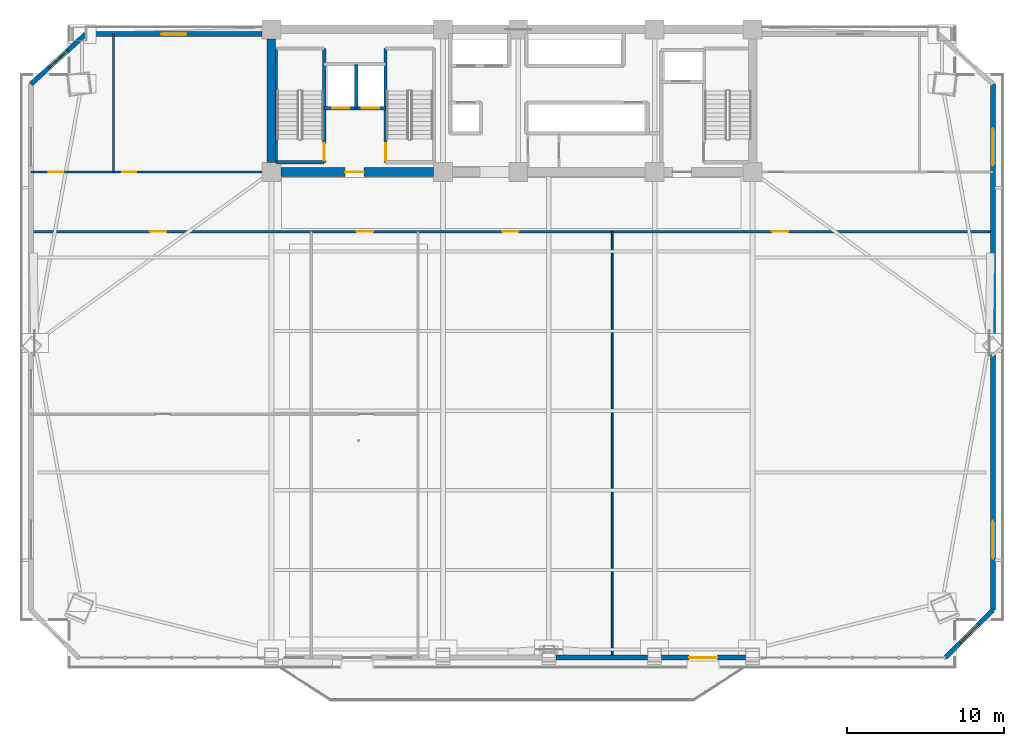
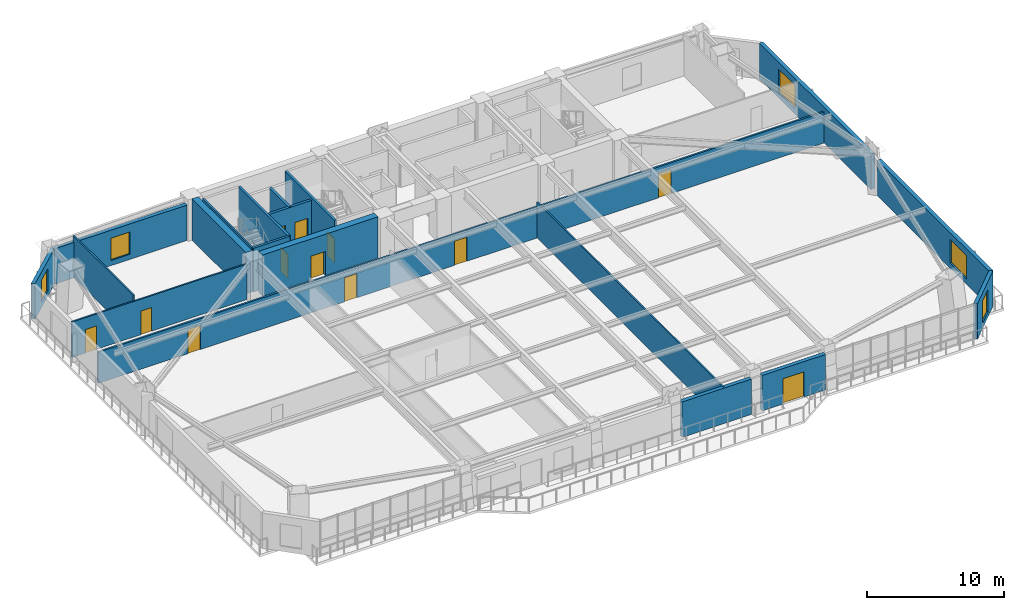
# One storey, part 8 of 15: 19 walls, 12 doors, 5 windows, 17 openings.
"""IFC4 building model written with IfcOpenShell, lengths in metres."""

import ifcopenshell
import ifcopenshell.guid

model = None  # the IFC model being written
_history = None  # IfcOwnerHistory: only IFC2X3 demands one
_inside = {}  # id of a spatial element -> (the spatial element, [elements in it])
_under = {}  # id of a project, library or spatial element -> (it, [spatial elements below it])
_declared = {}  # id of a project -> (the project, [libraries it declares])
_typed = {}  # id of a type object -> (the type object, [elements of that type])
_made_of = {}  # id of a material, layer set ... -> (it, [elements and type objects made of it])


def new_model(schema):
    """Start an empty IFC model of exactly this schema.

    Asked for "IFC4X3", IfcOpenShell would pick the latest addendum, in which some entities
    have other attributes; the version numbers below select the first issue.
    IFC2X3 requires an IfcOwnerHistory on every rooted entity: one is made here for all.
    """
    global model, _history
    if schema == "IFC4X3":
        model = ifcopenshell.file(schema_version=(4, 3, 0, 0))
    else:
        model = ifcopenshell.file(schema=schema)
    _inside.clear()
    _under.clear()
    _declared.clear()
    _typed.clear()
    _made_of.clear()
    _history = None
    if model.schema == "IFC2X3":
        org = make("IfcOrganization", Name="unknown")
        user = make(
            "IfcPersonAndOrganization",
            ThePerson=make("IfcPerson", FamilyName="unknown"),
            TheOrganization=org,
        )
        app = make(
            "IfcApplication",
            ApplicationDeveloper=org,
            Version="unknown",
            ApplicationFullName="unknown",
            ApplicationIdentifier="unknown",
        )
        _history = make(
            "IfcOwnerHistory",
            OwningUser=user,
            OwningApplication=app,
            ChangeAction="ADDED",
            CreationDate=0,
        )
    return model


def make(cls, **values):
    """One entity of the class cls with the attributes given. An attribute that is None is left unset."""
    return model.create_entity(
        cls, **{name: value for name, value in values.items() if value is not None}
    )


def rooted(cls, **values):
    """An entity with a GlobalId (a new one), such as an element, a storey or a relation."""
    return make(cls, GlobalId=ifcopenshell.guid.new(), OwnerHistory=_history, **values)


def si_unit(unit_type, name, prefix=None):
    """IfcSIUnit, for example si_unit("LENGTHUNIT", "METRE", prefix="MILLI")."""
    return make("IfcSIUnit", UnitType=unit_type, Prefix=prefix, Name=name)


def assignment(units):
    """IfcUnitAssignment: the units of a project."""
    return None if units is None else make("IfcUnitAssignment", Units=units)


def point(xyz):
    """IfcCartesianPoint."""
    return None if xyz is None else make("IfcCartesianPoint", Coordinates=xyz)


def direction(xyz):
    """IfcDirection."""
    return None if xyz is None else make("IfcDirection", DirectionRatios=xyz)


def frame(location, z_axis=None, x_axis=None):
    """IfcAxis2Placement3D, a coordinate frame: its origin and axes. An axis left out is left unset."""
    return make(
        "IfcAxis2Placement3D",
        Location=point(location),
        Axis=direction(z_axis),
        RefDirection=direction(x_axis),
    )


def frame_2d(location, x_axis=None):
    """IfcAxis2Placement2D, a coordinate frame in the plane: its origin and x axis."""
    return make(
        "IfcAxis2Placement2D", Location=point(location), RefDirection=direction(x_axis)
    )


def origin():
    """The frame at (0, 0, 0) with its axes left unset."""
    return frame((0.0, 0.0, 0.0))


def place(relative_to, where):
    """IfcLocalPlacement: puts the frame where relative to a parent placement (None: the world)."""
    return make(
        "IfcLocalPlacement", PlacementRelTo=relative_to, RelativePlacement=where
    )


def context(
    kind, dimensions, precision=None, world=None, true_north=None, identifier=None
):
    """IfcGeometricRepresentationContext, for example the 3D "Model" context."""
    return make(
        "IfcGeometricRepresentationContext",
        ContextIdentifier=identifier,
        ContextType=kind,
        CoordinateSpaceDimension=dimensions,
        Precision=precision,
        WorldCoordinateSystem=world,
        TrueNorth=true_north,
    )


def subcontext(parent, identifier, kind, view, scale=None):
    """IfcGeometricRepresentationSubContext, for example "Body" below "Model"."""
    return make(
        "IfcGeometricRepresentationSubContext",
        ContextIdentifier=identifier,
        ContextType=kind,
        ParentContext=parent,
        TargetScale=scale,
        TargetView=view,
    )


def project(units=None, contexts=None):
    """IfcProject with its units and contexts."""
    return rooted(
        "IfcProject",
        Name="project",
        RepresentationContexts=contexts,
        UnitsInContext=assignment(units),
    )


def spatial(cls, under=None, at=None, **own):
    """A site, building, storey or space (cls), placed at a placement, below another one or the project."""
    s = rooted(cls, ObjectPlacement=at, **own)
    if under is not None:
        _under.setdefault(under.id(), (under, []))[1].append(s)
    return s


def profile(cls, at=None, kind="AREA", **sizes):
    """A parametric profile (cls). Its sizes go by their IFC names, for example OverallWidth=200.0."""
    return make(cls, ProfileType=kind, Position=at, **sizes)


def rectangle(**sizes):
    """IfcRectangleProfileDef."""
    return profile("IfcRectangleProfileDef", **sizes)


def extrude(swept, where, along, depth):
    """IfcExtrudedAreaSolid: the profile swept, set in the frame where, extruded along a direction by depth."""
    return make(
        "IfcExtrudedAreaSolid",
        SweptArea=swept,
        Position=where,
        ExtrudedDirection=direction(along),
        Depth=depth,
    )


def shape(context_of_items, identifier, shape_type, items):
    """IfcShapeRepresentation: the items that make up one representation, for example the "Body"."""
    return make(
        "IfcShapeRepresentation",
        ContextOfItems=context_of_items,
        RepresentationIdentifier=identifier,
        RepresentationType=shape_type,
        Items=items,
    )


def source(mapping_origin, context_of_items, identifier, shape_type, items):
    """IfcRepresentationMap: a shape defined once, which mapped items show again and again."""
    return make(
        "IfcRepresentationMap",
        MappingOrigin=mapping_origin,
        MappedRepresentation=shape(context_of_items, identifier, shape_type, items),
    )


def transform(
    local_origin,
    x_axis=None,
    y_axis=None,
    z_axis=None,
    scale=None,
    scale2=None,
    scale3=None,
    uniform=True,
):
    """IfcCartesianTransformationOperator3D, or its non-uniform kind. x_axis, y_axis, z_axis: its Axis1, 2, 3."""
    if uniform:
        return make(
            "IfcCartesianTransformationOperator3D",
            Axis1=direction(x_axis),
            Axis2=direction(y_axis),
            LocalOrigin=point(local_origin),
            Scale=scale,
            Axis3=direction(z_axis),
        )
    return make(
        "IfcCartesianTransformationOperator3DnonUniform",
        Axis1=direction(x_axis),
        Axis2=direction(y_axis),
        LocalOrigin=point(local_origin),
        Scale=scale,
        Axis3=direction(z_axis),
        Scale2=scale2,
        Scale3=scale3,
    )


def mapped(mapping_source, mapping_target):
    """IfcMappedItem: shows the shape of a source again, moved by a transform."""
    return make(
        "IfcMappedItem", MappingSource=mapping_source, MappingTarget=mapping_target
    )


def material(Name=None, Category=None):
    """IfcMaterial."""
    return make("IfcMaterial", Name=Name, Category=Category)


def layer(
    of_material, thickness, ventilated=None, Name=None, Category=None, Priority=None
):
    """IfcMaterialLayer: one layer of a wall or slab, of a material (None: an air gap)."""
    return make(
        "IfcMaterialLayer",
        Material=of_material,
        LayerThickness=thickness,
        IsVentilated=ventilated,
        Name=Name,
        Category=Category,
        Priority=Priority,
    )


def layer_set(layers, Name=None):
    """IfcMaterialLayerSet."""
    return make("IfcMaterialLayerSet", MaterialLayers=layers, LayerSetName=Name)


def made_of(thing, what):
    """Note that an element or type object is made of a material, layer set ...; save() writes the relation."""
    if what is not None:
        _made_of.setdefault(what.id(), (what, []))[1].append(thing)
    return thing


def type_object(cls, material=None, **own):
    """A type object (cls), such as IfcWallType, which elements share."""
    return made_of(rooted(cls, **own), material)


def element(
    cls,
    number,
    at=None,
    inside=None,
    cuts=None,
    type_object=None,
    material=None,
    context=None,
    identifier="Body",
    shape_type=None,
    held_by="IfcProductDefinitionShape",
    body=None,
    shapes=None,
    **own,
):
    """One element of the class cls, such as IfcWall. Its Tag is "e" and its number.

    at: its placement. inside: the storey or other place that contains it. cuts: it is an
    opening in that element (IfcRelVoidsElement). A single representation is given by context,
    identifier, shape_type and body (its items); several are given by shapes. held_by: the class
    of the entity that holds the representations. save() writes the other relations.
    """
    e = rooted(cls, Tag="e%d" % number, ObjectPlacement=at, **own)
    if body is not None:
        shapes = [shape(context, identifier, shape_type, body)]
    if shapes is not None:
        e.Representation = make(held_by, Representations=shapes)
    if inside is not None:
        _inside.setdefault(inside.id(), (inside, []))[1].append(e)
    if cuts is not None:
        rooted(
            "IfcRelVoidsElement", RelatingBuildingElement=cuts, RelatedOpeningElement=e
        )
    if type_object is not None:
        _typed.setdefault(type_object.id(), (type_object, []))[1].append(e)
    return made_of(e, material)


def fill(opening, filler):
    """IfcRelFillsElement: the door or window that sits in an opening."""
    return rooted(
        "IfcRelFillsElement",
        RelatingOpeningElement=opening,
        RelatedBuildingElement=filler,
    )


def aggregate(whole, parts):
    """IfcRelAggregates: a whole, such as a stair, and the parts it consists of."""
    return rooted("IfcRelAggregates", RelatingObject=whole, RelatedObjects=parts)


def save(model, path):
    """Write the relations noted so far, then the file.

    IfcRelAggregates (storeys below a building ...), IfcRelContainedInSpatialStructure (elements
    in a storey), IfcRelDefinesByType, IfcRelAssociatesMaterial and IfcRelDeclares: one each for
    every whole, place, type object, material and project.
    """
    for whole, parts in _under.values():
        aggregate(whole, parts)
    for where, things in _inside.values():
        rooted(
            "IfcRelContainedInSpatialStructure",
            RelatedElements=things,
            RelatingStructure=where,
        )
    for kind, things in _typed.values():
        rooted("IfcRelDefinesByType", RelatedObjects=things, RelatingType=kind)
    for what, things in _made_of.values():
        rooted("IfcRelAssociatesMaterial", RelatedObjects=things, RelatingMaterial=what)
    for by, libraries in _declared.values():
        rooted("IfcRelDeclares", RelatingContext=by, RelatedDefinitions=libraries)
    model.write(path)


model = new_model("IFC4")

# Units and contexts
model_context = context("Model", 3, precision=1e-05, world=origin(), true_north=direction((0.0, 1.0)))
body_context = subcontext(model_context, "Body", "Model", "MODEL_VIEW")
ifc_project = project(units=[si_unit("LENGTHUNIT", "METRE"), si_unit("AREAUNIT", "SQUARE_METRE"), si_unit("VOLUMEUNIT", "CUBIC_METRE"), si_unit("PLANEANGLEUNIT", "RADIAN"), si_unit("MASSUNIT", "GRAM", prefix="KILO")], contexts=[model_context])

# Site, building, storey
site_placement = place(None, origin())
site = spatial("IfcSite", under=ifc_project, at=site_placement, CompositionType="ELEMENT")
building_placement = place(site_placement, origin())
building = spatial("IfcBuilding", under=site, at=building_placement, Name="Giltprow Tower", CompositionType="ELEMENT")
storey_placement = place(building_placement, frame((0.0, 0.0, 107.5)))
storey = spatial("IfcBuildingStorey", under=building, at=storey_placement, Name="L26", CompositionType="ELEMENT", Elevation=107.5)

# Wall, opening, window
ifc_material_1 = material(Name="Precast concrete C40", Category="concrete")
ifc_layer_1 = layer(ifc_material_1, 0.300048828125, Name="Precast concrete C40")
ifc_layer_set_1 = layer_set([ifc_layer_1], Name="Precast concrete C40")
wall_type_1 = type_object("IfcWallType", Name="EW-NOTCH-CHAMFER-300", PredefinedType="SOLIDWALL", material=ifc_layer_set_1)
wall_1_placement = place(storey_placement, frame((62.847900390625, 6.4619140625, 0.0), z_axis=(0.0, 0.0, 1.0), x_axis=(0.707135145445, 0.70707841579, 0.0)))
wall_1 = element("IfcWall", 1, at=wall_1_placement, inside=storey, type_object=wall_type_1, Name="L26 Corner Notch Wall SE", PredefinedType="SOLIDWALL", context=body_context, shape_type="SweptSolid", body=[
    extrude(rectangle(XDim=4.303466796875, YDim=0.300048828125, at=frame_2d((2.15185546875, 0.0))), origin(), (0.0, 0.0, 1.0), 3.159912109375),
])
opening_1_placement = place(wall_1_placement, frame((1.35205078125, 0.0, 0.449951171875)))
opening_1 = element("IfcOpeningElement", 2, at=opening_1_placement, cuts=wall_1, Name="Opening WN17", PredefinedType="OPENING", context=body_context, shape_type="SweptSolid", body=[
    extrude(rectangle(XDim=1.60009765625, YDim=2.0, at=frame_2d((0.800048828125, 1.0))), frame((0.0, 0.159912109375, 0.0), z_axis=(0.0, -1.0, 0.0), x_axis=(1.0, 0.0, 0.0)), (0.0, 0.0, 1.0), 0.320068359375),
])
ifc_material_2 = material(Name="Insulated glass", Category="glass")
window_type_1 = type_object("IfcWindowType", Name="WN-COR-1600x2000", PartitioningType="SINGLE_PANEL", PredefinedType="WINDOW", material=ifc_material_2)
shared_shape_1 = source(origin(), body_context, "Body", "SweptSolid", [
    extrude(rectangle(XDim=1.60009765625, YDim=2.0, at=frame_2d((0.800048828125, 1.0))), frame((0.0, 0.030029296875, 0.0), z_axis=(0.0, -1.0, 0.0), x_axis=(1.0, 0.0, 0.0)), (0.0, 0.0, 1.0), 0.06005859375),
])
window_1_placement = place(opening_1_placement, origin())
window_1 = element("IfcWindow", 3, at=window_1_placement, inside=storey, type_object=window_type_1, Name="L26 Corner Notch Window SE", OverallHeight=2.0, OverallWidth=1.60009765625, PartitioningType="SINGLE_PANEL", PredefinedType="WINDOW", context=body_context, shape_type="MappedRepresentation", body=[
    mapped(shared_shape_1, transform((0.0, 0.0, 0.0), x_axis=(1.0, 0.0, 0.0), y_axis=(0.0, 1.0, 0.0), z_axis=(0.0, 0.0, 1.0), scale=1.0)),
])
fill(opening_1, window_1)

wall_2_placement = place(storey_placement, frame((8.0029296875, 46.25, 0.0), z_axis=(0.0, 0.0, 1.0), x_axis=(-0.737969361405, -0.674834217884, 0.0)))
wall_2 = element("IfcWall", 4, at=wall_2_placement, inside=storey, type_object=wall_type_1, Name="L26 Corner Notch Wall NW", PredefinedType="SOLIDWALL", context=body_context, shape_type="SweptSolid", body=[
    extrude(rectangle(XDim=4.733154296875, YDim=0.300048828125, at=frame_2d((2.36669921875, 0.0))), origin(), (0.0, 0.0, 1.0), 3.159912109375),
])
opening_2_placement = place(wall_2_placement, frame((1.56689453125, 0.0, 0.449951171875)))
opening_2 = element("IfcOpeningElement", 5, at=opening_2_placement, cuts=wall_2, Name="Opening WN17", PredefinedType="OPENING", context=body_context, shape_type="SweptSolid", body=[
    extrude(rectangle(XDim=1.60009765625, YDim=2.0, at=frame_2d((0.800048828125, 1.0))), frame((0.0, 0.159912109375, 0.0), z_axis=(0.0, -1.0, 0.0), x_axis=(1.0, 0.0, 0.0)), (0.0, 0.0, 1.0), 0.320068359375),
])
window_2_placement = place(opening_2_placement, origin())
window_2 = element("IfcWindow", 6, at=window_2_placement, inside=storey, type_object=window_type_1, Name="L26 Corner Notch Window NW", OverallHeight=2.0, OverallWidth=1.60009765625, PartitioningType="SINGLE_PANEL", PredefinedType="WINDOW", context=body_context, shape_type="MappedRepresentation", body=[
    mapped(shared_shape_1, transform((0.0, 0.0, 0.0), x_axis=(1.0, 0.0, 0.0), y_axis=(0.0, 1.0, 0.0), z_axis=(0.0, 0.0, 1.0), scale=1.0)),
])
fill(opening_2, window_2)

# Wall
ifc_layer_2 = layer(ifc_material_1, 0.320068359375, Name="Precast concrete C40")
ifc_layer_set_2 = layer_set([ifc_layer_2], Name="Precast concrete C40")
wall_type_2 = type_object("IfcWallType", Name="EW-TOW-STONE-320", PredefinedType="SOLIDWALL", material=ifc_layer_set_2)
wall_3_placement = place(storey_placement, frame((38.0, 6.4619140625, 0.0), z_axis=(0.0, 0.0, 1.0), x_axis=(1.0, 0.0, 0.0)))
element("IfcWall", 7, at=wall_3_placement, inside=storey, type_object=wall_type_2, Name="L26 South Expressed Frame Wall 4", PredefinedType="SOLIDWALL", context=body_context, shape_type="SweptSolid", body=[
    extrude(rectangle(XDim=5.85009765625, YDim=0.320068359375, at=frame_2d((2.925048828125, 0.0))), origin(), (0.0, 0.0, 1.0), 3.159912109375),
])

# Wall, opening, door
wall_4_placement = place(storey_placement, frame((44.75, 6.4619140625, 0.0), z_axis=(0.0, 0.0, 1.0), x_axis=(1.0, 0.0, 0.0)))
wall_4 = element("IfcWall", 8, at=wall_4_placement, inside=storey, type_object=wall_type_2, Name="L26 South Expressed Frame Wall 5", PredefinedType="SOLIDWALL", context=body_context, shape_type="SweptSolid", body=[
    extrude(rectangle(XDim=5.35009765625, YDim=0.320068359375, at=frame_2d((2.675048828125, 0.0))), origin(), (0.0, 0.0, 1.0), 3.159912109375),
])
opening_3_placement = place(wall_4_placement, frame((1.75, 0.0, 0.0)))
opening_3 = element("IfcOpeningElement", 9, at=opening_3_placement, cuts=wall_4, Name="Opening ED25", PredefinedType="OPENING", context=body_context, shape_type="SweptSolid", body=[
    extrude(rectangle(XDim=1.800048828125, YDim=2.25, at=frame_2d((0.89990234375, 1.125))), frame((0.0, 0.169921875, 0.0), z_axis=(0.0, -1.0, 0.0), x_axis=(1.0, 0.0, 0.0)), (0.0, 0.0, 1.0), 0.340087890625),
])
ifc_material_3 = material(Name="Anodized bronze and glass", Category="glass")
door_type_1 = type_object("IfcDoorType", Name="DR-BALC-SLIDE-1800", OperationType="SLIDING_TO_LEFT", PredefinedType="DOOR", material=ifc_material_3)
shared_shape_2 = source(origin(), body_context, "Body", "SweptSolid", [
    extrude(rectangle(XDim=1.800048828125, YDim=2.25, at=frame_2d((0.89990234375, 1.125))), frame((0.0, 0.02490234375, 0.0), z_axis=(0.0, -1.0, 0.0), x_axis=(1.0, 0.0, 0.0)), (0.0, 0.0, 1.0), 0.050048828125),
])
door_1_placement = place(opening_3_placement, origin())
door_1 = element("IfcDoor", 10, at=door_1_placement, inside=storey, type_object=door_type_1, Name="L26 Waterfront Balcony Sliding Door 2", OperationType="SLIDING_TO_LEFT", OverallHeight=2.25, OverallWidth=1.800048828125, PredefinedType="DOOR", context=body_context, shape_type="MappedRepresentation", body=[
    mapped(shared_shape_2, transform((0.0, 0.0, 0.0), x_axis=(1.0, 0.0, 0.0), y_axis=(0.0, 1.0, 0.0), z_axis=(0.0, 0.0, 1.0), scale=1.0)),
])
fill(opening_3, door_1)

# Wall, opening, window
wall_5_placement = place(storey_placement, frame((65.89111328125, 9.5048828125, 0.0), z_axis=(0.0, 0.0, 1.0), x_axis=(0.0, 1.0, 0.0)))
wall_5 = element("IfcWall", 11, at=wall_5_placement, inside=storey, type_object=wall_type_2, Name="L26 E Wing Masonry Wall 1", PredefinedType="SOLIDWALL", context=body_context, shape_type="SweptSolid", body=[
    extrude(rectangle(XDim=16.3251953125, YDim=0.320068359375, at=frame_2d((8.16259765625, 0.0))), origin(), (0.0, 0.0, 1.0), 3.159912109375),
])
opening_4_placement = place(wall_5_placement, frame((3.284912109375, 0.0, 0.449951171875)))
opening_4 = element("IfcOpeningElement", 12, at=opening_4_placement, cuts=wall_5, Name="Opening WN29", PredefinedType="OPENING", context=body_context, shape_type="SweptSolid", body=[
    extrude(rectangle(XDim=2.39990234375, YDim=2.10009765625, at=frame_2d((1.199951171875, 1.050048828125))), frame((0.0, 0.169921875, 0.0), z_axis=(0.0, -1.0, 0.0), x_axis=(1.0, 0.0, 0.0)), (0.0, 0.0, 1.0), 0.340087890625),
])
window_type_2 = type_object("IfcWindowType", Name="WN-OFF-2400x2100", PartitioningType="DOUBLE_PANEL_VERTICAL", PredefinedType="WINDOW", material=ifc_material_2)
shared_shape_3 = source(origin(), body_context, "Body", "SweptSolid", [
    extrude(rectangle(XDim=2.39990234375, YDim=2.10009765625, at=frame_2d((1.199951171875, 1.050048828125))), frame((0.0, 0.030029296875, 0.0), z_axis=(0.0, -1.0, 0.0), x_axis=(1.0, 0.0, 0.0)), (0.0, 0.0, 1.0), 0.06005859375),
])
window_3_placement = place(opening_4_placement, origin())
window_3 = element("IfcWindow", 13, at=window_3_placement, inside=storey, type_object=window_type_2, Name="L26 E Wing Window 1-1A", OverallHeight=2.10009765625, OverallWidth=2.39990234375, PartitioningType="SINGLE_PANEL", PredefinedType="WINDOW", context=body_context, shape_type="MappedRepresentation", body=[
    mapped(shared_shape_3, transform((0.0, 0.0, 0.0), x_axis=(1.0, 0.0, 0.0), y_axis=(0.0, 1.0, 0.0), z_axis=(0.0, 0.0, 1.0), scale=1.0)),
])
fill(opening_4, window_3)

wall_6_placement = place(storey_placement, frame((65.89111328125, 26.72998046875, 0.0), z_axis=(0.0, 0.0, 1.0), x_axis=(0.0, 1.0, 0.0)))
wall_6 = element("IfcWall", 14, at=wall_6_placement, inside=storey, type_object=wall_type_2, Name="L26 E Wing Masonry Wall 2", PredefinedType="SOLIDWALL", context=body_context, shape_type="SweptSolid", body=[
    extrude(rectangle(XDim=16.325927734375, YDim=0.320068359375, at=frame_2d((8.1630859375, 0.0))), origin(), (0.0, 0.0, 1.0), 3.159912109375),
])
opening_5_placement = place(wall_6_placement, frame((11.125, 0.0, 0.449951171875)))
opening_5 = element("IfcOpeningElement", 15, at=opening_5_placement, cuts=wall_6, Name="Opening WN29", PredefinedType="OPENING", context=body_context, shape_type="SweptSolid", body=[
    extrude(rectangle(XDim=2.39990234375, YDim=2.10009765625, at=frame_2d((1.199951171875, 1.050048828125))), frame((0.0, 0.169921875, 0.0), z_axis=(0.0, -1.0, 0.0), x_axis=(1.0, 0.0, 0.0)), (0.0, 0.0, 1.0), 0.340087890625),
])
window_4_placement = place(opening_5_placement, origin())
window_4 = element("IfcWindow", 16, at=window_4_placement, inside=storey, type_object=window_type_2, Name="L26 E Wing Window 2-1", OverallHeight=2.10009765625, OverallWidth=2.39990234375, PartitioningType="SINGLE_PANEL", PredefinedType="WINDOW", context=body_context, shape_type="MappedRepresentation", body=[
    mapped(shared_shape_3, transform((0.0, 0.0, 0.0), x_axis=(1.0, 0.0, 0.0), y_axis=(0.0, 1.0, 0.0), z_axis=(0.0, 0.0, 1.0), scale=1.0)),
])
fill(opening_5, window_4)

wall_7_placement = place(storey_placement, frame((8.0029296875, 46.25, 0.0), z_axis=(0.0, 0.0, 1.0), x_axis=(1.0, 0.0, 0.0)))
wall_7 = element("IfcWall", 17, at=wall_7_placement, inside=storey, type_object=wall_type_2, Name="L26 North-West Wing Wall", PredefinedType="SOLIDWALL", context=body_context, shape_type="SweptSolid", body=[
    extrude(rectangle(XDim=11.2470703125, YDim=0.320068359375, at=frame_2d((5.62353515625, 0.0))), origin(), (0.0, 0.0, 1.0), 3.159912109375),
])
opening_6_placement = place(wall_7_placement, frame((4.823974609375, 0.0, 0.449951171875)))
opening_6 = element("IfcOpeningElement", 18, at=opening_6_placement, cuts=wall_7, Name="Opening WN17", PredefinedType="OPENING", context=body_context, shape_type="SweptSolid", body=[
    extrude(rectangle(XDim=1.60009765625, YDim=2.0, at=frame_2d((0.800048828125, 1.0))), frame((0.0, 0.169921875, 0.0), z_axis=(0.0, -1.0, 0.0), x_axis=(1.0, 0.0, 0.0)), (0.0, 0.0, 1.0), 0.340087890625),
])
window_5_placement = place(opening_6_placement, origin())
window_5 = element("IfcWindow", 19, at=window_5_placement, inside=storey, type_object=window_type_1, Name="L26 North-West Window", OverallHeight=2.0, OverallWidth=1.60009765625, PartitioningType="SINGLE_PANEL", PredefinedType="WINDOW", context=body_context, shape_type="MappedRepresentation", body=[
    mapped(shared_shape_1, transform((0.0, 0.0, 0.0), x_axis=(1.0, 0.0, 0.0), y_axis=(0.0, 1.0, 0.0), z_axis=(0.0, 0.0, 1.0), scale=1.0)),
])
fill(opening_6, window_5)

# Wall, openings, doors
ifc_material_4 = material(Name="Gypsum stud partition", Category="gypsum")
ifc_layer_3 = layer(ifc_material_4, 0.14990234375, Name="Gypsum stud partition")
ifc_layer_set_3 = layer_set([ifc_layer_3], Name="Gypsum stud partition")
wall_type_3 = type_object("IfcWallType", Name="IW-CORR-150", PredefinedType="PARTITIONING", material=ifc_layer_set_3)
wall_8_placement = place(storey_placement, frame((4.510009765625, 33.64990234375, 0.0), z_axis=(0.0, 0.0, 1.0), x_axis=(1.0, 0.0, 0.0)))
wall_8 = element("IfcWall", 20, at=wall_8_placement, inside=storey, type_object=wall_type_3, Name="L26 Office Loop Corridor Wall", PredefinedType="PARTITIONING", context=body_context, shape_type="SweptSolid", body=[
    extrude(rectangle(XDim=61.381103515625, YDim=0.14990234375, at=frame_2d((30.6904296875, 0.0))), origin(), (0.0, 0.0, 1.0), 2.764892578125),
])
opening_7_placement = place(wall_8_placement, frame((7.58203125, 0.0, 0.0)))
opening_7 = element("IfcOpeningElement", 21, at=opening_7_placement, cuts=wall_8, Name="Opening ID31", PredefinedType="OPENING", context=body_context, shape_type="SweptSolid", body=[
    extrude(rectangle(XDim=1.050048828125, YDim=2.14990234375, at=frame_2d((0.52490234375, 1.074951171875))), frame((0.0, 0.0849609375, 0.0), z_axis=(0.0, -1.0, 0.0), x_axis=(1.0, 0.0, 0.0)), (0.0, 0.0, 1.0), 0.169921875),
])
opening_8_placement = place(wall_8_placement, frame((20.77587890625, 0.0, 0.0)))
opening_8 = element("IfcOpeningElement", 22, at=opening_8_placement, cuts=wall_8, Name="Opening ID31", PredefinedType="OPENING", context=body_context, shape_type="SweptSolid", body=[
    extrude(rectangle(XDim=1.050048828125, YDim=2.14990234375, at=frame_2d((0.52490234375, 1.074951171875))), frame((0.0, 0.0849609375, 0.0), z_axis=(0.0, -1.0, 0.0), x_axis=(1.0, 0.0, 0.0)), (0.0, 0.0, 1.0), 0.169921875),
])
opening_9_placement = place(wall_8_placement, frame((30.06103515625, 0.0, 0.0)))
opening_9 = element("IfcOpeningElement", 23, at=opening_9_placement, cuts=wall_8, Name="Opening ID31", PredefinedType="OPENING", context=body_context, shape_type="SweptSolid", body=[
    extrude(rectangle(XDim=1.050048828125, YDim=2.14990234375, at=frame_2d((0.52490234375, 1.074951171875))), frame((0.0, 0.0849609375, 0.0), z_axis=(0.0, -1.0, 0.0), x_axis=(1.0, 0.0, 0.0)), (0.0, 0.0, 1.0), 0.169921875),
])
opening_10_placement = place(wall_8_placement, frame((47.27197265625, 0.0, 0.0)))
opening_10 = element("IfcOpeningElement", 24, at=opening_10_placement, cuts=wall_8, Name="Opening ID31", PredefinedType="OPENING", context=body_context, shape_type="SweptSolid", body=[
    extrude(rectangle(XDim=1.050048828125, YDim=2.14990234375, at=frame_2d((0.52490234375, 1.074951171875))), frame((0.0, 0.0849609375, 0.0), z_axis=(0.0, -1.0, 0.0), x_axis=(1.0, 0.0, 0.0)), (0.0, 0.0, 1.0), 0.169921875),
])
ifc_material_5 = material(Name="Engineered timber", Category="wood")
door_type_2 = type_object("IfcDoorType", Name="DR-SUITE-1050", OperationType="SINGLE_SWING_LEFT", PredefinedType="DOOR", material=ifc_material_5)
shared_shape_4 = source(origin(), body_context, "Body", "SweptSolid", [
    extrude(rectangle(XDim=1.050048828125, YDim=2.14990234375, at=frame_2d((0.52490234375, 1.074951171875))), frame((0.0, 0.02490234375, 0.0), z_axis=(0.0, -1.0, 0.0), x_axis=(1.0, 0.0, 0.0)), (0.0, 0.0, 1.0), 0.050048828125),
])
door_2_placement = place(opening_7_placement, origin())
door_2 = element("IfcDoor", 25, at=door_2_placement, inside=storey, type_object=door_type_2, Name="L26 Suite Reception Foyer Door", OperationType="SINGLE_SWING_LEFT", OverallHeight=2.14990234375, OverallWidth=1.050048828125, PredefinedType="DOOR", context=body_context, shape_type="MappedRepresentation", body=[
    mapped(shared_shape_4, transform((0.0, 0.0, 0.0), x_axis=(1.0, 0.0, 0.0), y_axis=(0.0, 1.0, 0.0), z_axis=(0.0, 0.0, 1.0), scale=1.0)),
])
fill(opening_7, door_2)
door_3_placement = place(opening_8_placement, origin())
door_3 = element("IfcDoor", 26, at=door_3_placement, inside=storey, type_object=door_type_2, Name="L26 Suite Reception Foyer Door", OperationType="SINGLE_SWING_LEFT", OverallHeight=2.14990234375, OverallWidth=1.050048828125, PredefinedType="DOOR", context=body_context, shape_type="MappedRepresentation", body=[
    mapped(shared_shape_4, transform((0.0, 0.0, 0.0), x_axis=(1.0, 0.0, 0.0), y_axis=(0.0, 1.0, 0.0), z_axis=(0.0, 0.0, 1.0), scale=1.0)),
])
fill(opening_8, door_3)
door_4_placement = place(opening_9_placement, origin())
door_4 = element("IfcDoor", 27, at=door_4_placement, inside=storey, type_object=door_type_2, Name="L26 Quiet Fireside Lounge 3 Door", OperationType="SINGLE_SWING_LEFT", OverallHeight=2.14990234375, OverallWidth=1.050048828125, PredefinedType="DOOR", context=body_context, shape_type="MappedRepresentation", body=[
    mapped(shared_shape_4, transform((0.0, 0.0, 0.0), x_axis=(1.0, 0.0, 0.0), y_axis=(0.0, 1.0, 0.0), z_axis=(0.0, 0.0, 1.0), scale=1.0)),
])
fill(opening_9, door_4)
door_5_placement = place(opening_10_placement, origin())
door_5 = element("IfcDoor", 28, at=door_5_placement, inside=storey, type_object=door_type_2, Name="L26 Executive Cigar Lounge 4 Door", OperationType="SINGLE_SWING_RIGHT", OverallHeight=2.14990234375, OverallWidth=1.050048828125, PredefinedType="DOOR", context=body_context, shape_type="MappedRepresentation", body=[
    mapped(shared_shape_4, transform((0.0, 0.0, 0.0), x_axis=(1.0, 0.0, 0.0), y_axis=(0.0, 1.0, 0.0), z_axis=(0.0, 0.0, 1.0), scale=1.0)),
])
fill(opening_10, door_5)

# Wall
ifc_layer_4 = layer(ifc_material_4, 0.1201171875, Name="Gypsum stud partition")
ifc_layer_set_4 = layer_set([ifc_layer_4], Name="Gypsum stud partition")
wall_type_4 = type_object("IfcWallType", Name="IW-ROOM-120", PredefinedType="PARTITIONING", material=ifc_layer_set_4)
wall_9_placement = place(storey_placement, frame((41.60009765625, 6.4619140625, 0.0), z_axis=(0.0, 0.0, 1.0), x_axis=(0.0, 1.0, 0.0)))
element("IfcWall", 29, at=wall_9_placement, inside=storey, type_object=wall_type_4, Name="L26 Office Partition 3", PredefinedType="PARTITIONING", context=body_context, shape_type="SweptSolid", body=[
    extrude(rectangle(XDim=27.18798828125, YDim=0.1201171875, at=frame_2d((13.593994140625, 0.0))), origin(), (0.0, 0.0, 1.0), 3.1650390625),
])

# Wall, openings, doors
ifc_material_6 = material(Name="Concrete C40", Category="concrete")
ifc_layer_5 = layer(ifc_material_6, 0.219970703125, Name="Concrete C40")
ifc_layer_set_5 = layer_set([ifc_layer_5], Name="Concrete C40")
wall_type_5 = type_object("IfcWallType", Name="IW-SHAFT-220", PredefinedType="SOLIDWALL", material=ifc_layer_set_5)
wall_10_placement = place(storey_placement, frame((23.219970703125, 41.52001953125, 0.0), z_axis=(0.0, 0.0, 1.0), x_axis=(1.0, 0.0, 0.0)))
wall_10 = element("IfcWall", 30, at=wall_10_placement, inside=storey, type_object=wall_type_5, Name="L26 FFL1 and Service Lift Front Wall", PredefinedType="SOLIDWALL", context=body_context, shape_type="SweptSolid", body=[
    extrude(rectangle(XDim=3.919921875, YDim=0.219970703125, at=frame_2d((1.9599609375, 0.0))), origin(), (0.0, 0.0, 1.0), 3.679931640625),
])
opening_11_placement = place(wall_10_placement, frame((0.5, 0.0, 0.0)))
opening_11 = element("IfcOpeningElement", 31, at=opening_11_placement, cuts=wall_10, Name="Opening LD-11", PredefinedType="OPENING", context=body_context, shape_type="SweptSolid", body=[
    extrude(rectangle(XDim=1.10009765625, YDim=2.199951171875, at=frame_2d((0.550048828125, 1.10009765625))), frame((0.0, 0.119873046875, 0.0), z_axis=(0.0, -1.0, 0.0), x_axis=(1.0, 0.0, 0.0)), (0.0, 0.0, 1.0), 0.239990234375),
])
opening_12_placement = place(wall_10_placement, frame((2.39990234375, 0.0, 0.0)))
opening_12 = element("IfcOpeningElement", 32, at=opening_12_placement, cuts=wall_10, Name="Opening LD-11", PredefinedType="OPENING", context=body_context, shape_type="SweptSolid", body=[
    extrude(rectangle(XDim=1.10009765625, YDim=2.199951171875, at=frame_2d((0.550048828125, 1.10009765625))), frame((0.0, 0.119873046875, 0.0), z_axis=(0.0, -1.0, 0.0), x_axis=(1.0, 0.0, 0.0)), (0.0, 0.0, 1.0), 0.239990234375),
])
ifc_material_7 = material(Name="Stainless steel", Category="steel")
door_type_3 = type_object("IfcDoorType", Name="DR-LIFT-LD1100", OperationType="SLIDING_TO_LEFT", PredefinedType="DOOR", material=ifc_material_7)
shared_shape_5 = source(origin(), body_context, "Body", "SweptSolid", [
    extrude(rectangle(XDim=1.10009765625, YDim=2.199951171875, at=frame_2d((0.550048828125, 1.10009765625))), frame((0.0, 0.02490234375, 0.0), z_axis=(0.0, -1.0, 0.0), x_axis=(1.0, 0.0, 0.0)), (0.0, 0.0, 1.0), 0.050048828125),
])
door_6_placement = place(opening_11_placement, origin())
door_6 = element("IfcDoor", 33, at=door_6_placement, inside=storey, type_object=door_type_3, Name="L26 FFL1 Landing Door", OperationType="SLIDING_TO_LEFT", OverallHeight=2.199951171875, OverallWidth=1.10009765625, PredefinedType="DOOR", context=body_context, shape_type="MappedRepresentation", body=[
    mapped(shared_shape_5, transform((0.0, 0.0, 0.0), x_axis=(1.0, 0.0, 0.0), y_axis=(0.0, 1.0, 0.0), z_axis=(0.0, 0.0, 1.0), scale=1.0)),
])
fill(opening_11, door_6)
door_7_placement = place(opening_12_placement, origin())
door_7 = element("IfcDoor", 34, at=door_7_placement, inside=storey, type_object=door_type_3, Name="L26 SVL1 Landing Door", OperationType="SLIDING_TO_LEFT", OverallHeight=2.199951171875, OverallWidth=1.10009765625, PredefinedType="DOOR", context=body_context, shape_type="MappedRepresentation", body=[
    mapped(shared_shape_5, transform((0.0, 0.0, 0.0), x_axis=(1.0, 0.0, 0.0), y_axis=(0.0, 1.0, 0.0), z_axis=(0.0, 0.0, 1.0), scale=1.0)),
])
fill(opening_12, door_7)

# Walls
wall_11_placement = place(storey_placement, frame((25.260009765625, 41.52001953125, 0.0), z_axis=(0.0, 0.0, 1.0), x_axis=(0.0, 1.0, 0.0)))
element("IfcWall", 35, at=wall_11_placement, inside=storey, type_object=wall_type_5, Name="L26 FFL1-SVL1 Shaft Divider", PredefinedType="SOLIDWALL", context=body_context, shape_type="SweptSolid", body=[
    extrude(rectangle(XDim=2.800048828125, YDim=0.219970703125, at=frame_2d((1.39990234375, 0.0))), origin(), (0.0, 0.0, 1.0), 3.679931640625),
])
ifc_material_8 = material(Name="Concrete C45", Category="concrete")
ifc_layer_6 = layer(ifc_material_8, 0.139892578125, Name="Concrete C45")
ifc_layer_set_6 = layer_set([ifc_layer_6], Name="Concrete C45")
wall_type_6 = type_object("IfcWallType", Name="IW-STAIR-140", PredefinedType="SOLIDWALL", material=ifc_layer_set_6)
wall_12_placement = place(storey_placement, frame((20.169921875, 38.070068359375, 0.0), z_axis=(0.0, 0.0, 1.0), x_axis=(0.0, 1.0, 0.0)))
element("IfcWall", 36, at=wall_12_placement, inside=storey, type_object=wall_type_6, Name="L26 Stair ST-1 West Bearing Wall", PredefinedType="SOLIDWALL", context=body_context, shape_type="SweptSolid", body=[
    extrude(rectangle(XDim=7.25, YDim=0.139892578125, at=frame_2d((3.625, 0.0))), origin(), (0.0, 0.0, 1.0), 3.89990234375),
])

# Wall, opening, door
ifc_layer_7 = layer(ifc_material_6, 0.199951171875, Name="Concrete C40")
ifc_layer_set_7 = layer_set([ifc_layer_7], Name="Concrete C40")
wall_type_7 = type_object("IfcWallType", Name="IW-STAIR-200", PredefinedType="SOLIDWALL", material=ifc_layer_set_7)
wall_13_placement = place(storey_placement, frame((23.219970703125, 38.070068359375, 0.0), z_axis=(0.0, 0.0, 1.0), x_axis=(0.0, 1.0, 0.0)))
wall_13 = element("IfcWall", 37, at=wall_13_placement, inside=storey, type_object=wall_type_7, Name="L26 Stair ST-1 East Bearing Wall", PredefinedType="SOLIDWALL", context=body_context, shape_type="SweptSolid", body=[
    extrude(rectangle(XDim=7.25, YDim=0.199951171875, at=frame_2d((3.625, 0.0))), origin(), (0.0, 0.0, 1.0), 3.89990234375),
])
opening_13_placement = place(wall_13_placement, frame((0.110107421875, 0.0, 0.0)))
opening_13 = element("IfcOpeningElement", 38, at=opening_13_placement, cuts=wall_13, Name="Opening ID33", PredefinedType="OPENING", context=body_context, shape_type="SweptSolid", body=[
    extrude(rectangle(XDim=1.10009765625, YDim=2.14990234375, at=frame_2d((0.550048828125, 1.074951171875))), frame((0.0, 0.10986328125, 0.0), z_axis=(0.0, -1.0, 0.0), x_axis=(1.0, 0.0, 0.0)), (0.0, 0.0, 1.0), 0.219970703125),
])
ifc_material_9 = material(Name="Steel fire leaf", Category="steel")
door_type_4 = type_object("IfcDoorType", Name="DR-STAIR-1100", OperationType="SINGLE_SWING_LEFT", PredefinedType="DOOR", material=ifc_material_9)
shared_shape_6 = source(origin(), body_context, "Body", "SweptSolid", [
    extrude(rectangle(XDim=1.10009765625, YDim=2.14990234375, at=frame_2d((0.550048828125, 1.074951171875))), frame((0.0, 0.02490234375, 0.0), z_axis=(0.0, -1.0, 0.0), x_axis=(1.0, 0.0, 0.0)), (0.0, 0.0, 1.0), 0.050048828125),
])
door_8_placement = place(opening_13_placement, origin())
door_8 = element("IfcDoor", 39, at=door_8_placement, inside=storey, type_object=door_type_4, Name="L26 Stair ST-1 Fire Door", OperationType="SINGLE_SWING_RIGHT", OverallHeight=2.14990234375, OverallWidth=1.10009765625, PredefinedType="DOOR", context=body_context, shape_type="MappedRepresentation", body=[
    mapped(shared_shape_6, transform((0.0, 0.0, 0.0), x_axis=(1.0, 0.0, 0.0), y_axis=(0.0, 1.0, 0.0), z_axis=(0.0, 0.0, 1.0), scale=1.0)),
])
fill(opening_13, door_8)

# Wall
wall_14_placement = place(storey_placement, frame((20.169921875, 38.070068359375, 0.0), z_axis=(0.0, 0.0, 1.0), x_axis=(1.0, 0.0, 0.0)))
element("IfcWall", 40, at=wall_14_placement, inside=storey, type_object=wall_type_7, Name="L26 Stair ST-1 South Bearing Wall", PredefinedType="SOLIDWALL", context=body_context, shape_type="SweptSolid", body=[
    extrude(rectangle(XDim=3.050048828125, YDim=0.199951171875, at=frame_2d((1.52490234375, 0.0))), origin(), (0.0, 0.0, 1.0), 3.89990234375),
])

# Wall, opening, door
wall_15_placement = place(storey_placement, frame((27.139892578125, 38.070068359375, 0.0), z_axis=(0.0, 0.0, 1.0), x_axis=(0.0, 1.0, 0.0)))
wall_15 = element("IfcWall", 41, at=wall_15_placement, inside=storey, type_object=wall_type_7, Name="L26 Stair ST-2 West Bearing Wall", PredefinedType="SOLIDWALL", context=body_context, shape_type="SweptSolid", body=[
    extrude(rectangle(XDim=7.25, YDim=0.199951171875, at=frame_2d((3.625, 0.0))), origin(), (0.0, 0.0, 1.0), 3.89990234375),
])
opening_14_placement = place(wall_15_placement, frame((0.110107421875, 0.0, 0.0)))
opening_14 = element("IfcOpeningElement", 42, at=opening_14_placement, cuts=wall_15, Name="Opening ID33", PredefinedType="OPENING", context=body_context, shape_type="SweptSolid", body=[
    extrude(rectangle(XDim=1.10009765625, YDim=2.14990234375, at=frame_2d((0.550048828125, 1.074951171875))), frame((0.0, 0.10986328125, 0.0), z_axis=(0.0, -1.0, 0.0), x_axis=(1.0, 0.0, 0.0)), (0.0, 0.0, 1.0), 0.219970703125),
])
door_9_placement = place(opening_14_placement, origin())
door_9 = element("IfcDoor", 43, at=door_9_placement, inside=storey, type_object=door_type_4, Name="L26 Stair ST-2 Fire Door", OperationType="SINGLE_SWING_LEFT", OverallHeight=2.14990234375, OverallWidth=1.10009765625, PredefinedType="DOOR", context=body_context, shape_type="MappedRepresentation", body=[
    mapped(shared_shape_6, transform((0.0, 0.0, 0.0), x_axis=(1.0, 0.0, 0.0), y_axis=(0.0, 1.0, 0.0), z_axis=(0.0, 0.0, 1.0), scale=1.0)),
])
fill(opening_14, door_9)

# Wall, openings, doors
ifc_material_10 = material(Name="Concrete C30", Category="concrete")
ifc_layer_8 = layer(ifc_material_10, 0.1298828125, Name="Concrete C30")
ifc_layer_set_8 = layer_set([ifc_layer_8], Name="Concrete C30")
wall_type_8 = type_object("IfcWallType", Name="IW-WET-130", PredefinedType="PARTITIONING", material=ifc_layer_set_8)
wall_16_placement = place(storey_placement, frame((4.510009765625, 37.449951171875, 0.0), z_axis=(0.0, 0.0, 1.0), x_axis=(1.0, 0.0, 0.0)))
wall_16 = element("IfcWall", 44, at=wall_16_placement, inside=storey, type_object=wall_type_8, Name="L26 NW Wing South Wall", PredefinedType="PARTITIONING", context=body_context, shape_type="SweptSolid", body=[
    extrude(rectangle(XDim=14.739990234375, YDim=0.1298828125, at=frame_2d((7.3701171875, 0.0))), origin(), (0.0, 0.0, 1.0), 3.1650390625),
])
opening_15_placement = place(wall_16_placement, frame((1.134033203125, 0.0, 0.0)))
opening_15 = element("IfcOpeningElement", 45, at=opening_15_placement, cuts=wall_16, Name="Opening ID11", PredefinedType="OPENING", context=body_context, shape_type="SweptSolid", body=[
    extrude(rectangle(XDim=0.949951171875, YDim=2.10009765625, at=frame_2d((0.47509765625, 1.050048828125))), frame((0.0, 0.074951171875, 0.0), z_axis=(0.0, -1.0, 0.0), x_axis=(1.0, 0.0, 0.0)), (0.0, 0.0, 1.0), 0.14990234375),
])
opening_16_placement = place(wall_16_placement, frame((5.81396484375, 0.0, 0.0)))
opening_16 = element("IfcOpeningElement", 46, at=opening_16_placement, cuts=wall_16, Name="Opening ID15", PredefinedType="OPENING", context=body_context, shape_type="SweptSolid", body=[
    extrude(rectangle(XDim=0.89990234375, YDim=2.10009765625, at=frame_2d((0.449951171875, 1.050048828125))), frame((0.0, 0.074951171875, 0.0), z_axis=(0.0, -1.0, 0.0), x_axis=(1.0, 0.0, 0.0)), (0.0, 0.0, 1.0), 0.14990234375),
])
door_type_5 = type_object("IfcDoorType", Name="DR-WC-900", OperationType="SINGLE_SWING_LEFT", PredefinedType="DOOR", material=ifc_material_5)
shared_shape_7 = source(origin(), body_context, "Body", "SweptSolid", [
    extrude(rectangle(XDim=0.89990234375, YDim=2.10009765625, at=frame_2d((0.449951171875, 1.050048828125))), frame((0.0, 0.02490234375, 0.0), z_axis=(0.0, -1.0, 0.0), x_axis=(1.0, 0.0, 0.0)), (0.0, 0.0, 1.0), 0.050048828125),
])
door_10_placement = place(opening_16_placement, origin())
door_10 = element("IfcDoor", 47, at=door_10_placement, inside=storey, type_object=door_type_5, Name="L26 NW Washroom Door", OperationType="SINGLE_SWING_RIGHT", OverallHeight=2.10009765625, OverallWidth=0.89990234375, PredefinedType="DOOR", context=body_context, shape_type="MappedRepresentation", body=[
    mapped(shared_shape_7, transform((0.0, 0.0, 0.0), x_axis=(1.0, 0.0, 0.0), y_axis=(0.0, 1.0, 0.0), z_axis=(0.0, 0.0, 1.0), scale=1.0)),
])
fill(opening_16, door_10)
door_type_6 = type_object("IfcDoorType", Name="DR-ROOM-950", OperationType="SINGLE_SWING_RIGHT", PredefinedType="DOOR", material=ifc_material_5)
shared_shape_8 = source(origin(), body_context, "Body", "SweptSolid", [
    extrude(rectangle(XDim=0.949951171875, YDim=2.10009765625, at=frame_2d((0.47509765625, 1.050048828125))), frame((0.0, 0.02490234375, 0.0), z_axis=(0.0, -1.0, 0.0), x_axis=(1.0, 0.0, 0.0)), (0.0, 0.0, 1.0), 0.050048828125),
])
door_11_placement = place(opening_15_placement, origin())
door_11 = element("IfcDoor", 48, at=door_11_placement, inside=storey, type_object=door_type_6, Name="L26 West Tenant Office West Door", OperationType="SINGLE_SWING_LEFT", OverallHeight=2.10009765625, OverallWidth=0.949951171875, PredefinedType="DOOR", context=body_context, shape_type="MappedRepresentation", body=[
    mapped(shared_shape_8, transform((0.0, 0.0, 0.0), x_axis=(1.0, 0.0, 0.0), y_axis=(0.0, 1.0, 0.0), z_axis=(0.0, 0.0, 1.0), scale=1.0)),
])
fill(opening_15, door_11)

# Wall
wall_17_placement = place(storey_placement, frame((9.77392578125, 37.449951171875, 0.0), z_axis=(0.0, 0.0, 1.0), x_axis=(0.0, 1.0, 0.0)))
element("IfcWall", 49, at=wall_17_placement, inside=storey, type_object=wall_type_8, Name="L26 NW Wing Divider", PredefinedType="PARTITIONING", context=body_context, shape_type="SweptSolid", body=[
    extrude(rectangle(XDim=8.800048828125, YDim=0.1298828125, at=frame_2d((4.39990234375, 0.0))), origin(), (0.0, 0.0, 1.0), 3.679931640625),
])

# Wall, opening, door
ifc_material_11 = material(Name="Concrete C60", Category="concrete")
ifc_layer_9 = layer(ifc_material_11, 0.550048828125, Name="Concrete C60")
ifc_layer_set_9 = layer_set([ifc_layer_9], Name="Concrete C60")
wall_type_9 = type_object("IfcWallType", Name="SW-INT-550-C60", PredefinedType="SHEAR", material=ifc_layer_set_9)
wall_18_placement = place(storey_placement, frame((20.449951171875, 37.449951171875, 0.0), z_axis=(0.0, 0.0, 1.0), x_axis=(1.0, 0.0, 0.0)))
wall_18 = element("IfcWall", 50, at=wall_18_placement, inside=storey, type_object=wall_type_9, Name="L26 South Rear Core Shear Wall West", PredefinedType="SHEAR", context=body_context, shape_type="SweptSolid", body=[
    extrude(rectangle(XDim=9.75, YDim=0.550048828125, at=frame_2d((4.875, 0.0))), origin(), (0.0, 0.0, 1.0), 3.679931640625),
])
opening_17_placement = place(wall_18_placement, frame((4.10009765625, 0.0, 0.0)))
opening_17 = element("IfcOpeningElement", 51, at=opening_17_placement, cuts=wall_18, Name="Opening ID19", PredefinedType="OPENING", context=body_context, shape_type="SweptSolid", body=[
    extrude(rectangle(XDim=1.199951171875, YDim=2.14990234375, at=frame_2d((0.60009765625, 1.074951171875))), frame((0.0, 0.284912109375, 0.0), z_axis=(0.0, -1.0, 0.0), x_axis=(1.0, 0.0, 0.0)), (0.0, 0.0, 1.0), 0.570068359375),
])
door_type_7 = type_object("IfcDoorType", Name="DR-FFLOBBY-1200", OperationType="SINGLE_SWING_RIGHT", PredefinedType="DOOR", material=ifc_material_9)
shared_shape_9 = source(origin(), body_context, "Body", "SweptSolid", [
    extrude(rectangle(XDim=1.199951171875, YDim=2.14990234375, at=frame_2d((0.60009765625, 1.074951171875))), frame((0.0, 0.02490234375, 0.0), z_axis=(0.0, -1.0, 0.0), x_axis=(1.0, 0.0, 0.0)), (0.0, 0.0, 1.0), 0.050048828125),
])
door_12_placement = place(opening_17_placement, origin())
door_12 = element("IfcDoor", 52, at=door_12_placement, inside=storey, type_object=door_type_7, Name="L26 West Firefighting Lobby Entry Door", OperationType="SINGLE_SWING_LEFT", OverallHeight=2.14990234375, OverallWidth=1.199951171875, PredefinedType="DOOR", context=body_context, shape_type="MappedRepresentation", body=[
    mapped(shared_shape_9, transform((0.0, 0.0, 0.0), x_axis=(1.0, 0.0, 0.0), y_axis=(0.0, 1.0, 0.0), z_axis=(0.0, 0.0, 1.0), scale=1.0)),
])
fill(opening_17, door_12)

# Wall
wall_19_placement = place(storey_placement, frame((19.85009765625, 38.050048828125, 0.0), z_axis=(0.0, 0.0, 1.0), x_axis=(0.0, 1.0, 0.0)))
element("IfcWall", 53, at=wall_19_placement, inside=storey, type_object=wall_type_9, Name="L26 W Rear Core Shear Wall", PredefinedType="SHEAR", context=body_context, shape_type="SweptSolid", body=[
    extrude(rectangle(XDim=7.89990234375, YDim=0.550048828125, at=frame_2d((3.949951171875, 0.0))), origin(), (0.0, 0.0, 1.0), 3.679931640625),
])

save(model, "model.ifc")
